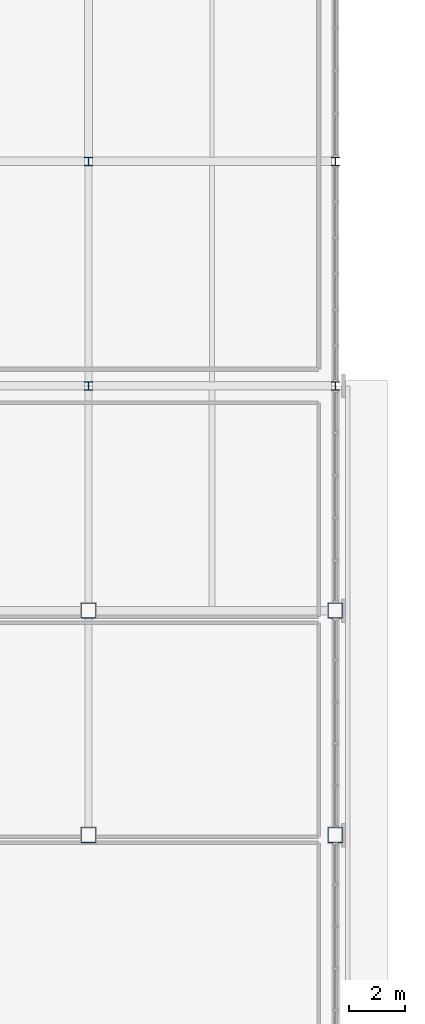
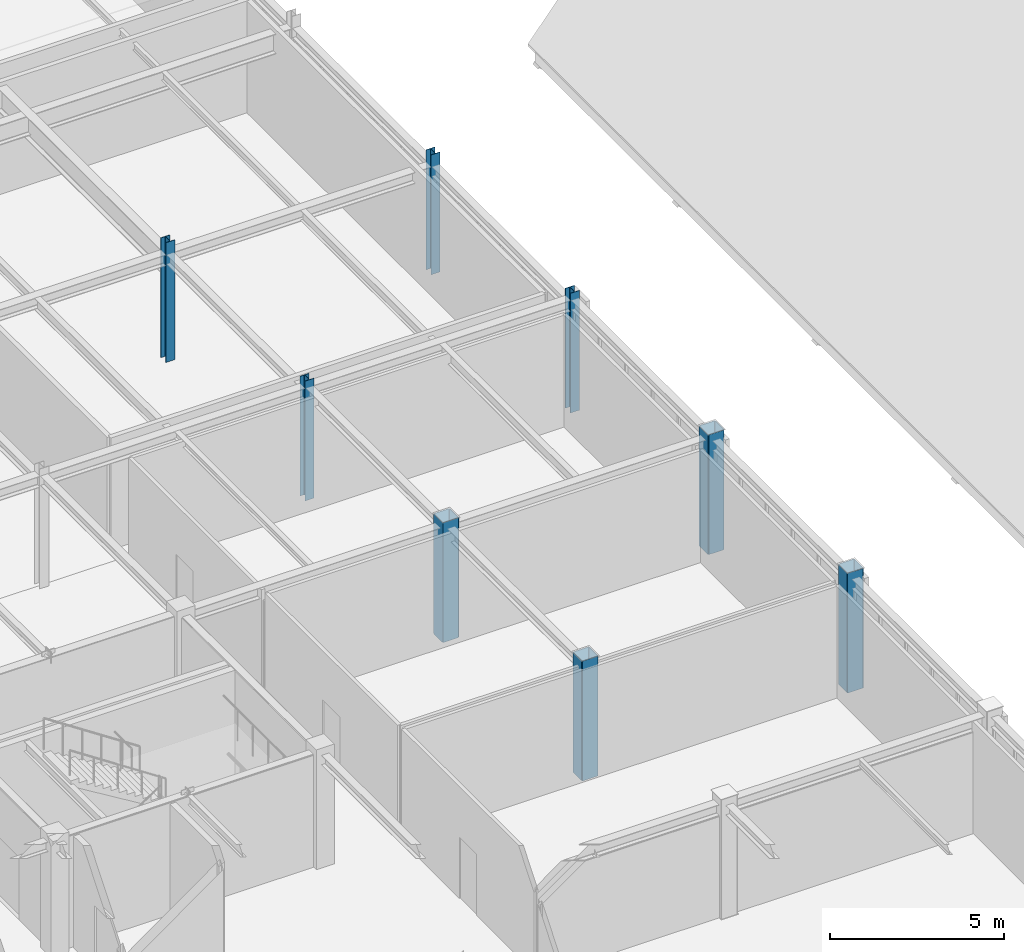
# One storey, part 3 of 64: 8 columns.
"""IFC4 building model written with IfcOpenShell, lengths in metres."""

from ifc_helpers import new_model, si_unit, direction, frame, origin, origin_2d, place, context, subcontext, project, spatial, hollow_rectangle, i_section, extrude, material, material_profile, profile_set, type_object, element, save


model = new_model("IFC4")

# Units and contexts
model_context = context("Model", 3, precision=1e-05, world=origin(), true_north=direction((0.0, 1.0)))
body_context = subcontext(model_context, "Body", "Model", "MODEL_VIEW")
ifc_project = project(units=[si_unit("LENGTHUNIT", "METRE"), si_unit("AREAUNIT", "SQUARE_METRE"), si_unit("VOLUMEUNIT", "CUBIC_METRE"), si_unit("PLANEANGLEUNIT", "RADIAN"), si_unit("MASSUNIT", "GRAM", prefix="KILO")], contexts=[model_context])

# Site, building, storey
site_placement = place(None, origin())
site = spatial("IfcSite", under=ifc_project, at=site_placement, CompositionType="ELEMENT")
building_placement = place(site_placement, origin())
building = spatial("IfcBuilding", under=site, at=building_placement, Name="Zhaolan Boulevard Law Courts", CompositionType="ELEMENT")
storey_placement = place(building_placement, frame((0.0, 0.0, 20.39990234375)))
storey = spatial("IfcBuildingStorey", under=building, at=storey_placement, Name="L04", CompositionType="ELEMENT", Elevation=20.39990234375)

# Columns
ifc_material_1 = material(Name="Structural steel Q390B", Category="steel")
ifc_material_profile_1 = material_profile(ifc_material_1, hollow_rectangle(XDim=0.550048828125, YDim=0.550048828125, WallThickness=0.02197265625, InnerFilletRadius=0.02197265625, OuterFilletRadius=0.0439453125, at=origin_2d()), Name="BOX550x550x22")
ifc_profile_set_1 = profile_set([ifc_material_profile_1], Name="Structural steel Q390B")
column_type_1 = type_object("IfcColumnType", Name="COL BOX550", PredefinedType="COLUMN", material=ifc_profile_set_1)
for number, where, z_axis, x_axis, name in (
    (1, (35.199951171875, 62.0, 0.0), (0.0, 0.0, 1.0), (1.0, 0.0, 0.0), "Column C-5J (L04)"),
    (2, (35.199951171875, 70.0, 0.0), (0.0, 0.0, 1.0), (1.0, 0.0, 0.0), "Column C-5K (L04)"),
    (3, (44.0, 62.0, 0.0), (0.0, 0.0, 1.0), (1.0, 0.0, 0.0), "Column C-6J (L04)"),
    (4, (44.0, 70.0, 0.0), (0.0, 0.0, 1.0), (1.0, 0.0, 0.0), "Column C-6K (L04)"),
):
    element("IfcColumn", number, at=place(storey_placement, frame(where, z_axis=z_axis, x_axis=x_axis)), inside=storey, type_object=column_type_1, Name=name, PredefinedType="COLUMN", context=body_context, shape_type="SweptSolid", body=[
        extrude(hollow_rectangle(XDim=0.550048828125, YDim=0.550048828125, WallThickness=0.02197265625, InnerFilletRadius=0.02197265625, OuterFilletRadius=0.0439453125, at=origin_2d()), origin(), (0.0, 0.0, 1.0), 4.2001953125),
    ])
ifc_material_2 = material(Name="Structural steel Q355B", Category="steel")
ifc_material_profile_2 = material_profile(ifc_material_2, i_section(OverallWidth=0.300048828125, OverallDepth=0.300048828125, WebThickness=0.010009765625, FlangeThickness=0.014892578125, FilletRadius=0.01806640625, at=origin_2d()), Name="HW300x300")
ifc_profile_set_2 = profile_set([ifc_material_profile_2], Name="Structural steel Q355B")
column_type_2 = type_object("IfcColumnType", Name="COL HW300", PredefinedType="COLUMN", material=ifc_profile_set_2)
for number, where, z_axis, x_axis, name in (
    (5, (35.199951171875, 78.0, 0.0), (0.0, 0.0, 1.0), (1.0, 0.0, 0.0), "Column C-5L (L04)"),
    (6, (35.199951171875, 86.0, 0.0), (0.0, 0.0, 1.0), (1.0, 0.0, 0.0), "Column C-5M (L04)"),
    (7, (44.0, 78.0, 0.0), (0.0, 0.0, 1.0), (1.0, 0.0, 0.0), "Column C-6L (L04)"),
    (8, (44.0, 86.0, 0.0), (0.0, 0.0, 1.0), (1.0, 0.0, 0.0), "Column C-6M (L04)"),
):
    element("IfcColumn", number, at=place(storey_placement, frame(where, z_axis=z_axis, x_axis=x_axis)), inside=storey, type_object=column_type_2, Name=name, PredefinedType="COLUMN", context=body_context, shape_type="SweptSolid", body=[
        extrude(i_section(OverallWidth=0.300048828125, OverallDepth=0.300048828125, WebThickness=0.010009765625, FlangeThickness=0.014892578125, FilletRadius=0.01806640625, at=origin_2d()), origin(), (0.0, 0.0, 1.0), 4.2001953125),
    ])

save(model, "model.ifc")
